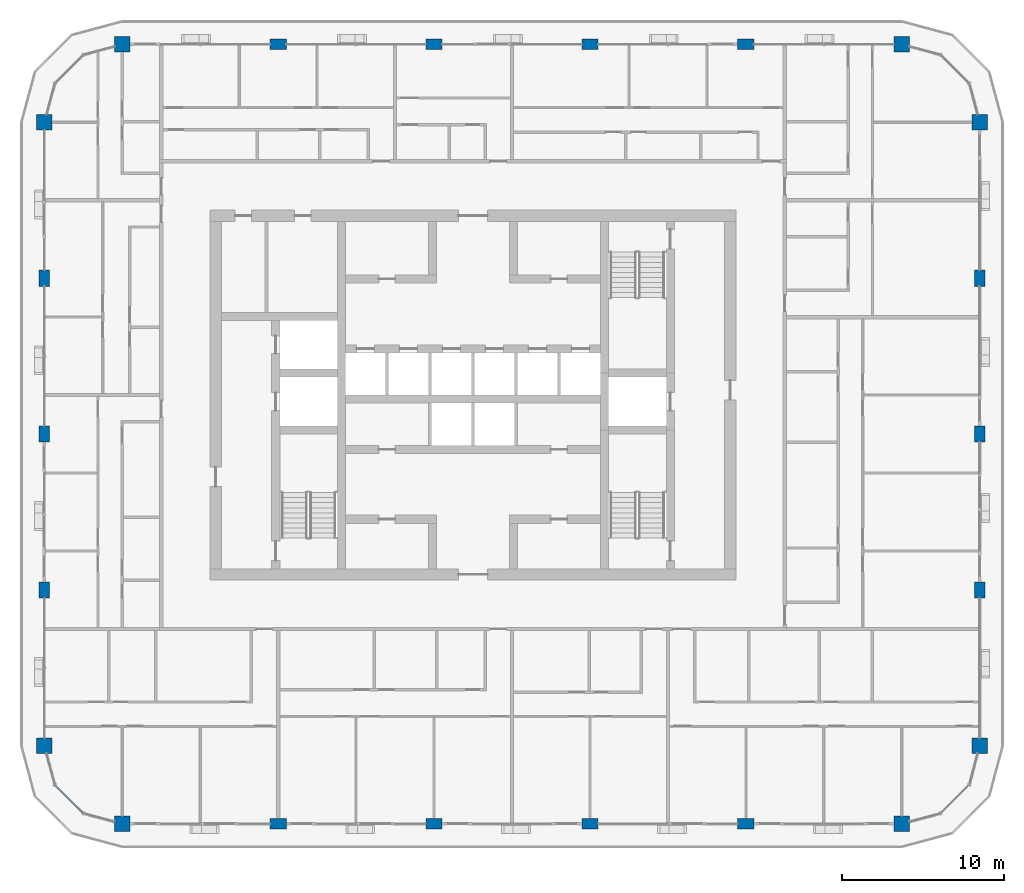
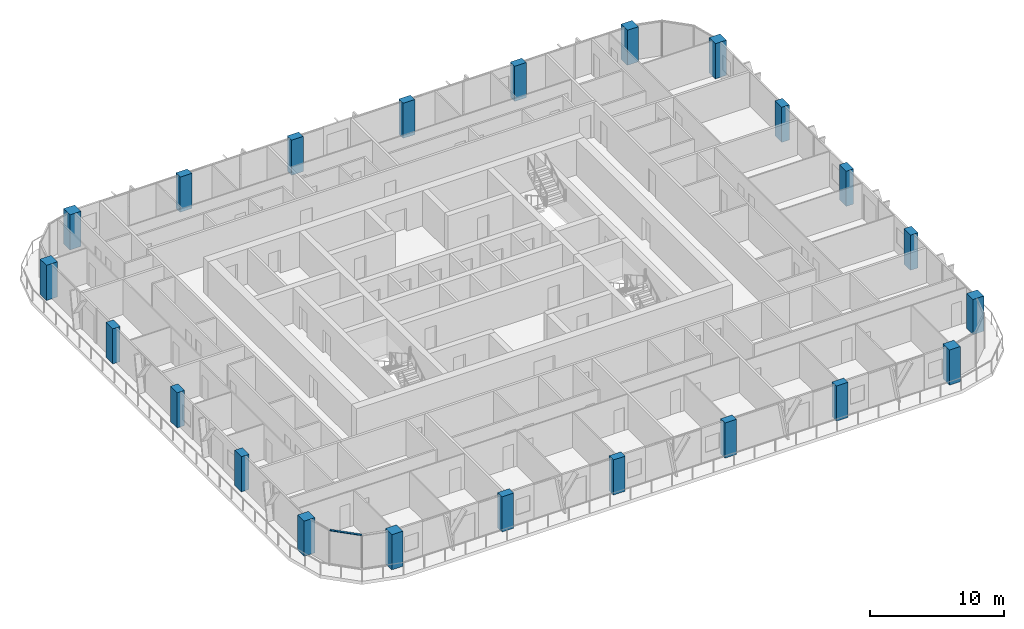
# One storey, part 1 of 21: 22 columns, 1 member, 1 element without a shape of its own.
"""IFC4 building model written with IfcOpenShell, lengths in metres."""

from ifc_helpers import new_model, si_unit, direction, frame, origin, origin_2d, place, context, subcontext, project, spatial, rectangle, extrude, material, layer, layer_set, material_profile, profile_set, type_object, element, aggregate, save


model = new_model("IFC4")

# Units and contexts
model_context = context("Model", 3, precision=1e-05, world=origin(), true_north=direction((0.0, 1.0)))
body_context = subcontext(model_context, "Body", "Model", "MODEL_VIEW")
ifc_project = project(units=[si_unit("LENGTHUNIT", "METRE"), si_unit("AREAUNIT", "SQUARE_METRE"), si_unit("VOLUMEUNIT", "CUBIC_METRE"), si_unit("PLANEANGLEUNIT", "RADIAN"), si_unit("MASSUNIT", "GRAM", prefix="KILO")], contexts=[model_context])

# Site, building, storey
site_placement = place(None, origin())
site = spatial("IfcSite", under=ifc_project, at=site_placement, CompositionType="ELEMENT")
building_placement = place(site_placement, origin())
building = spatial("IfcBuilding", under=site, at=building_placement, Name="Madar Terraces", CompositionType="ELEMENT")
storey_placement = place(building_placement, frame((0.0, 0.0, 185.89990234375)))
storey = spatial("IfcBuildingStorey", under=building, at=storey_placement, Name="L48", CompositionType="ELEMENT", Elevation=185.89990234375)

# Columns
ifc_material_1 = material(Name="Concrete C60/75", Category="concrete")
ifc_material_profile_1 = material_profile(ifc_material_1, rectangle(XDim=1.0, YDim=0.64990234375, at=origin_2d()), Name="CC4 RC 1000x650")
ifc_profile_set_1 = profile_set([ifc_material_profile_1], Name="Concrete C60/75")
column_type_1 = type_object("IfcColumnType", Name="CC4 RC 1000x650", PredefinedType="COLUMN", material=ifc_profile_set_1)
for number, where, z_axis, x_axis, name in (
    (1, (19.199951171875, 0.0, 0.0), (0.0, 0.0, 1.0), (1.0, 0.0, 0.0), "Perimeter column S2"),
    (2, (28.800048828125, 0.0, 0.0), (0.0, 0.0, 1.0), (1.0, 0.0, 0.0), "Perimeter column S3"),
    (3, (38.39990234375, 0.0, 0.0), (0.0, 0.0, 1.0), (1.0, 0.0, 0.0), "Perimeter column S4"),
    (4, (48.0, 0.0, 0.0), (0.0, 0.0, 1.0), (1.0, 0.0, 0.0), "Perimeter column S5"),
    (5, (62.39990234375, 14.39990234375, 0.0), (0.0, 0.0, 1.0), (0.0, 1.0, 0.0), "Perimeter column E2"),
    (6, (62.39990234375, 24.0, 0.0), (0.0, 0.0, 1.0), (0.0, 1.0, 0.0), "Perimeter column E3"),
    (7, (62.39990234375, 33.60009765625, 0.0), (0.0, 0.0, 1.0), (0.0, 1.0, 0.0), "Perimeter column E4"),
    (8, (48.0, 48.0, 0.0), (0.0, 0.0, 1.0), (1.0, 0.0, 0.0), "Perimeter column N2"),
    (9, (38.39990234375, 48.0, 0.0), (0.0, 0.0, 1.0), (1.0, 0.0, 0.0), "Perimeter column N3"),
    (10, (28.800048828125, 48.0, 0.0), (0.0, 0.0, 1.0), (1.0, 0.0, 0.0), "Perimeter column N4"),
    (11, (19.199951171875, 48.0, 0.0), (0.0, 0.0, 1.0), (1.0, 0.0, 0.0), "Perimeter column N5"),
    (12, (4.800048828125, 33.60009765625, 0.0), (0.0, 0.0, 1.0), (0.0, 1.0, 0.0), "Perimeter column W2"),
    (13, (4.800048828125, 24.0, 0.0), (0.0, 0.0, 1.0), (0.0, 1.0, 0.0), "Perimeter column W3"),
    (14, (4.800048828125, 14.39990234375, 0.0), (0.0, 0.0, 1.0), (0.0, 1.0, 0.0), "Perimeter column W4"),
):
    element("IfcColumn", number, at=place(storey_placement, frame(where, z_axis=z_axis, x_axis=x_axis)), inside=storey, type_object=column_type_1, Name=name, PredefinedType="COLUMN", context=body_context, shape_type="SweptSolid", body=[
        extrude(rectangle(XDim=1.0, YDim=0.64990234375, at=origin_2d()), origin(), (0.0, 0.0, 1.0), 3.2001953125),
    ])
ifc_material_2 = material(Name="Concrete C60/75", Category="concrete")
ifc_material_profile_2 = material_profile(ifc_material_2, rectangle(XDim=0.949951171875, YDim=0.949951171875, at=origin_2d()), Name="KC4 RC 950x950")
ifc_profile_set_2 = profile_set([ifc_material_profile_2], Name="Concrete C60/75")
column_type_2 = type_object("IfcColumnType", Name="KC4 RC 950x950", PredefinedType="COLUMN", material=ifc_profile_set_2)
for number, where, z_axis, x_axis, name in (
    (15, (9.60009765625, 0.0, 0.0), (0.0, 0.0, 1.0), (1.0, 0.0, 0.0), "Perimeter column S1"),
    (16, (57.60009765625, 0.0, 0.0), (0.0, 0.0, 1.0), (1.0, 0.0, 0.0), "Perimeter column S6"),
    (17, (62.39990234375, 4.800048828125, 0.0), (0.0, 0.0, 1.0), (1.0, 0.0, 0.0), "Perimeter column E1"),
    (18, (62.39990234375, 43.199951171875, 0.0), (0.0, 0.0, 1.0), (1.0, 0.0, 0.0), "Perimeter column E5"),
    (19, (57.60009765625, 48.0, 0.0), (0.0, 0.0, 1.0), (1.0, 0.0, 0.0), "Perimeter column N1"),
    (20, (9.60009765625, 48.0, 0.0), (0.0, 0.0, 1.0), (1.0, 0.0, 0.0), "Perimeter column N6"),
    (21, (4.800048828125, 43.199951171875, 0.0), (0.0, 0.0, 1.0), (1.0, 0.0, 0.0), "Perimeter column W1"),
    (22, (4.800048828125, 4.800048828125, 0.0), (0.0, 0.0, 1.0), (1.0, 0.0, 0.0), "Perimeter column W5"),
):
    element("IfcColumn", number, at=place(storey_placement, frame(where, z_axis=z_axis, x_axis=x_axis)), inside=storey, type_object=column_type_2, Name=name, PredefinedType="COLUMN", context=body_context, shape_type="SweptSolid", body=[
        extrude(rectangle(XDim=0.949951171875, YDim=0.949951171875, at=origin_2d()), origin(), (0.0, 0.0, 1.0), 3.2001953125),
    ])

# Curtain wall, member
ifc_material_3 = material(Name="Glass, ceramic frit dark grey, with black aluminium frame", Category="aluminium")
ifc_layer = layer(ifc_material_3, 0.199951171875)
ifc_layer_set = layer_set([ifc_layer], Name="Facade curtain wall, fritted glass")
curtain_wall_type = type_object("IfcCurtainWallType", Name="Facade curtain wall, fritted glass", PredefinedType="NOTDEFINED", material=ifc_layer_set)
curtain_wall_placement = place(storey_placement, origin())
curtain_wall = element("IfcCurtainWall", 23, at=curtain_wall_placement, inside=storey, type_object=curtain_wall_type, Name="Outer skin curtain wall south-west corner", PredefinedType="NOTDEFINED")
ifc_material_4 = material(Name="Aluminium, black anodised", Category="aluminium")
ifc_material_profile_3 = material_profile(ifc_material_4, rectangle(XDim=0.1201171875, YDim=0.06005859375, at=origin_2d()), Name="Facade transom 60x120")
ifc_profile_set_3 = profile_set([ifc_material_profile_3], Name="Aluminium, black anodised")
member_type = type_object("IfcMemberType", Name="Facade transom 60x120", PredefinedType="USERDEFINED", material=ifc_profile_set_3)
member_placement = place(storey_placement, frame((5.46435546875, 2.37890625, 3.170166015625), z_axis=(0.707056433593, -0.707157125196, 0.0), x_axis=(0.707157125196, 0.707056433593, 0.0)))
member = element("IfcMember", 24, at=member_placement, type_object=member_type, Name="Transom 2", ObjectType="TRANSOM", PredefinedType="USERDEFINED", context=body_context, shape_type="SweptSolid", body=[
    extrude(rectangle(XDim=0.1201171875, YDim=0.06005859375, at=origin_2d()), origin(), (0.0, 0.0, 1.0), 2.424560546875),
])
aggregate(curtain_wall, [member])

save(model, "model.ifc")
